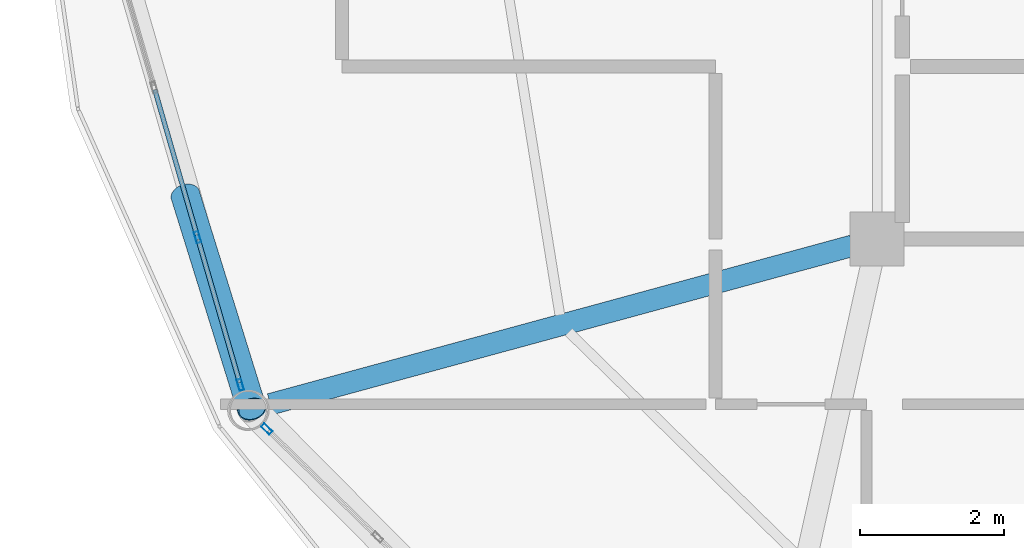
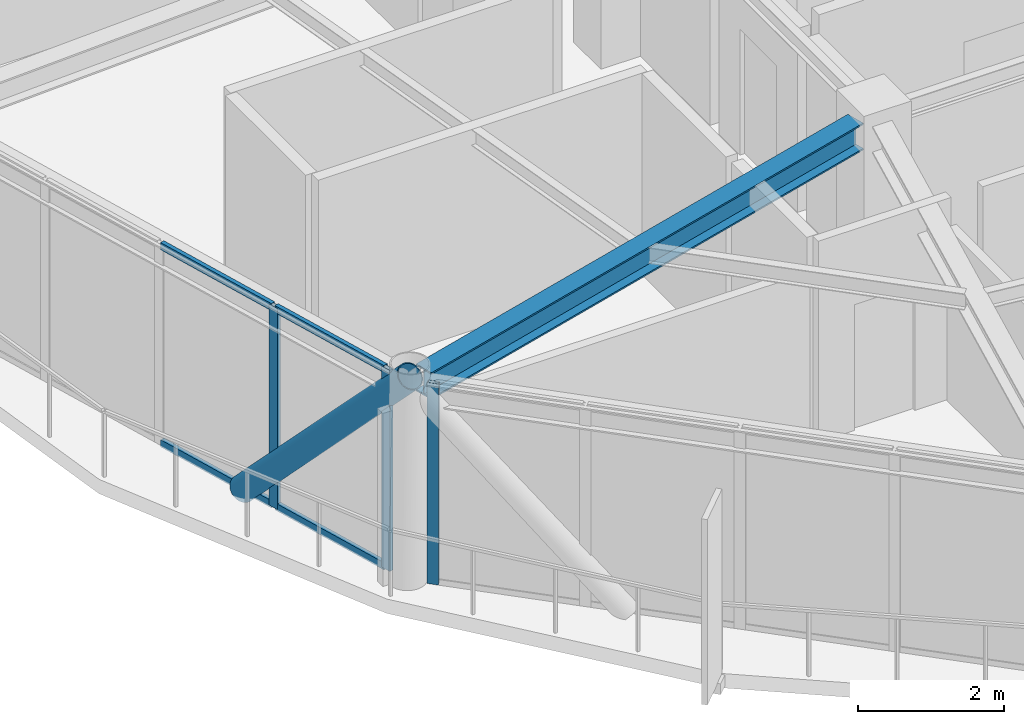
# One storey, part 4 of 27: 8 members, 1 beam, 2 elements without a shape of their own.
"""IFC4 building model written with IfcOpenShell, lengths in metres."""

from ifc_helpers import new_model, si_unit, direction, frame, origin, origin_2d, place, context, subcontext, project, spatial, hollow_rectangle, hollow_circle, i_section, extrude, material, layer, layer_set, material_profile, profile_set, type_object, element, aggregate, save


model = new_model("IFC4")

# Units and contexts
model_context = context("Model", 3, precision=1e-05, world=origin(), true_north=direction((0.0, 1.0)))
body_context = subcontext(model_context, "Body", "Model", "MODEL_VIEW")
ifc_project = project(units=[si_unit("LENGTHUNIT", "METRE"), si_unit("AREAUNIT", "SQUARE_METRE"), si_unit("VOLUMEUNIT", "CUBIC_METRE"), si_unit("PLANEANGLEUNIT", "RADIAN"), si_unit("MASSUNIT", "GRAM", prefix="KILO")], contexts=[model_context])

# Site, building, storey
site_placement = place(None, origin())
site = spatial("IfcSite", under=ifc_project, at=site_placement, CompositionType="ELEMENT")
building_placement = place(site_placement, origin())
building = spatial("IfcBuilding", under=site, at=building_placement, Name="Varnakorn Sky Granary", CompositionType="ELEMENT")
storey_placement = place(building_placement, frame((0.0, 0.0, 245.39990234375)))
storey = spatial("IfcBuildingStorey", under=building, at=storey_placement, Name="L62", CompositionType="ELEMENT", Elevation=245.39990234375)

# Beam
ifc_material_1 = material(Name="Steel S355JR", Category="steel")
ifc_material_profile_1 = material_profile(ifc_material_1, i_section(OverallWidth=0.300048828125, OverallDepth=0.449951171875, WebThickness=0.013916015625, FlangeThickness=0.02587890625, at=origin_2d()), Name="HE 450 B")
ifc_profile_set_1 = profile_set([ifc_material_profile_1], Name="Steel S355JR")
beam_type = type_object("IfcBeamType", Name="BM-RAD-Z5", PredefinedType="BEAM", material=ifc_profile_set_1)
beam_placement = place(storey_placement, frame((-2.6923828125, -6.693359375, 3.135009765625), z_axis=(-0.964876446702, -0.262704097035, 0.0), x_axis=(0.262704097035, -0.964876446702, 0.0)))
element("IfcBeam", 1, at=beam_placement, inside=storey, type_object=beam_type, Name="Radial Floor Girder RG08 L62", PredefinedType="BEAM", context=body_context, shape_type="SweptSolid", body=[
    extrude(i_section(OverallWidth=0.300048828125, OverallDepth=0.449951171875, WebThickness=0.013916015625, FlangeThickness=0.02587890625, at=origin_2d()), origin(), (0.0, 0.0, 1.0), 8.3974609375),
])

# Curtain wall, members
ifc_material_2 = material(Name="Anodised Bronze Aluminium Alloy 6063-T6", Category="aluminium")
ifc_layer = layer(ifc_material_2, 0.159912109375, Name="Anodised Bronze Aluminium Alloy 6063-T6")
ifc_layer_set = layer_set([ifc_layer], Name="Anodised Bronze Aluminium Alloy 6063-T6")
curtain_wall_type = type_object("IfcCurtainWallType", Name="CW-OFF-1", PredefinedType="USERDEFINED", material=ifc_layer_set)
curtain_wall_1_placement = place(storey_placement, origin())
curtain_wall_1 = element("IfcCurtainWall", 2, at=curtain_wall_1_placement, inside=storey, type_object=curtain_wall_type, Name="Unitised Curtain Wall CW6 CW-L62-B07", ObjectType="CURTAIN WALL", PredefinedType="USERDEFINED")
ifc_material_profile_2 = material_profile(ifc_material_2, hollow_rectangle(XDim=0.06494140625, YDim=0.159912109375, WallThickness=0.00341796875, at=origin_2d()), Name="ALU MULL 65x160")
ifc_profile_set_2 = profile_set([ifc_material_profile_2], Name="Anodised Bronze Aluminium Alloy 6063-T6")
member_type_1 = type_object("IfcMemberType", Name="CW-OFF-1-MULL", PredefinedType="MULLION", material=ifc_profile_set_2)
member_1_placement = place(storey_placement, frame((-11.212646484375, -8.628173828125, 0.0), z_axis=(0.0, 0.0, 1.0), x_axis=(-0.960483292406, -0.278337645691, 0.0)))
member_1 = element("IfcMember", 3, at=member_1_placement, type_object=member_type_1, Name="CW6 mullion 1", PredefinedType="MULLION", context=body_context, shape_type="SweptSolid", body=[
    extrude(hollow_rectangle(XDim=0.06494140625, YDim=0.159912109375, WallThickness=0.00341796875, at=origin_2d()), origin(), (0.0, 0.0, 1.0), 3.360107421875),
])
member_2_placement = place(storey_placement, frame((-11.807373046875, -6.576171875, 0.0), z_axis=(0.0, 0.0, 1.0), x_axis=(-0.960483292406, -0.278337645691, 0.0)))
member_2 = element("IfcMember", 4, at=member_2_placement, type_object=member_type_1, Name="CW6 mullion 2", PredefinedType="MULLION", context=body_context, shape_type="SweptSolid", body=[
    extrude(hollow_rectangle(XDim=0.06494140625, YDim=0.159912109375, WallThickness=0.00341796875, at=origin_2d()), origin(), (0.0, 0.0, 1.0), 3.360107421875),
])

# Curtain wall, member
curtain_wall_2_placement = place(storey_placement, origin())
curtain_wall_2 = element("IfcCurtainWall", 5, at=curtain_wall_2_placement, inside=storey, type_object=curtain_wall_type, Name="Unitised Curtain Wall CW6 CW-L62-B08", ObjectType="CURTAIN WALL", PredefinedType="USERDEFINED")
member_3_placement = place(storey_placement, frame((-10.8427734375, -9.2451171875, 0.0), z_axis=(0.0, 0.0, 1.0), x_axis=(-0.698180615076, -0.715921663823, 0.0)))
member_3 = element("IfcMember", 6, at=member_3_placement, type_object=member_type_1, Name="CW6 mullion 5", PredefinedType="MULLION", context=body_context, shape_type="SweptSolid", body=[
    extrude(hollow_rectangle(XDim=0.06494140625, YDim=0.159912109375, WallThickness=0.00341796875, at=origin_2d()), origin(), (0.0, 0.0, 1.0), 3.360107421875),
])
aggregate(curtain_wall_2, [member_3])

# Member
ifc_material_profile_3 = material_profile(ifc_material_2, hollow_rectangle(XDim=0.06494140625, YDim=0.1201171875, WallThickness=0.00341796875, at=origin_2d()), Name="ALU TRAN 65x120")
ifc_profile_set_3 = profile_set([ifc_material_profile_3], Name="Anodised Bronze Aluminium Alloy 6063-T6")
member_type_2 = type_object("IfcMemberType", Name="CW-OFF-1-TRAN", PredefinedType="USERDEFINED", material=ifc_profile_set_3)
member_4_placement = place(storey_placement, frame((-11.2216796875, -8.596923828125, 0.03271484375), z_axis=(-0.27836138489, 0.960476412725, 0.0), x_axis=(-0.960476412725, -0.27836138489, 0.0)))
member_4 = element("IfcMember", 7, at=member_4_placement, type_object=member_type_2, Name="CW6 transom 1.1", ObjectType="TRANSOM", PredefinedType="USERDEFINED", context=body_context, shape_type="SweptSolid", body=[
    extrude(hollow_rectangle(XDim=0.06494140625, YDim=0.1201171875, WallThickness=0.00341796875, at=origin_2d()), origin(), (0.0, 0.0, 1.0), 2.071533203125),
])

member_5_placement = place(storey_placement, frame((-11.2216796875, -8.596923828125, 3.32763671875), z_axis=(-0.27836138489, 0.960476412725, 0.0), x_axis=(-0.960476412725, -0.27836138489, 0.0)))
member_5 = element("IfcMember", 8, at=member_5_placement, type_object=member_type_2, Name="CW6 transom 1.2", ObjectType="TRANSOM", PredefinedType="USERDEFINED", context=body_context, shape_type="SweptSolid", body=[
    extrude(hollow_rectangle(XDim=0.06494140625, YDim=0.1201171875, WallThickness=0.00341796875, at=origin_2d()), origin(), (0.0, 0.0, 1.0), 2.071533203125),
])

member_6_placement = place(storey_placement, frame((-11.81640625, -6.544921875, 0.03271484375), z_axis=(-0.278351061992, 0.960479404406, 0.0), x_axis=(-0.960479404406, -0.278351061992, 0.0)))
member_6 = element("IfcMember", 9, at=member_6_placement, type_object=member_type_2, Name="CW6 transom 2.1", ObjectType="TRANSOM", PredefinedType="USERDEFINED", context=body_context, shape_type="SweptSolid", body=[
    extrude(hollow_rectangle(XDim=0.06494140625, YDim=0.1201171875, WallThickness=0.00341796875, at=origin_2d()), origin(), (0.0, 0.0, 1.0), 2.104248046875),
])

member_7_placement = place(storey_placement, frame((-11.81640625, -6.544921875, 3.32763671875), z_axis=(-0.278351061992, 0.960479404406, 0.0), x_axis=(-0.960479404406, -0.278351061992, 0.0)))
member_7 = element("IfcMember", 10, at=member_7_placement, type_object=member_type_2, Name="CW6 transom 2.2", ObjectType="TRANSOM", PredefinedType="USERDEFINED", context=body_context, shape_type="SweptSolid", body=[
    extrude(hollow_rectangle(XDim=0.06494140625, YDim=0.1201171875, WallThickness=0.00341796875, at=origin_2d()), origin(), (0.0, 0.0, 1.0), 2.104248046875),
])

aggregate(curtain_wall_1, [member_1, member_2, member_4, member_5, member_6, member_7])

ifc_material_3 = material(Name="Steel S460M", Category="steel")
ifc_material_profile_4 = material_profile(ifc_material_3, hollow_circle(Radius=0.203125, WallThickness=0.01611328125, at=origin_2d()), Name="CHS 406.4x16")
ifc_profile_set_4 = profile_set([ifc_material_profile_4], Name="Steel S460M")
member_type_3 = type_object("IfcMemberType", Name="MB-DIAG-T4", PredefinedType="BRACE", material=ifc_profile_set_4)
member_8_placement = place(storey_placement, frame((-11.97705078125, -5.990234375, 0.0), z_axis=(0.20212826746, -0.649675182108, 0.732848088792), x_axis=(0.954853816416, 0.29707606648, 0.0)))
element("IfcMember", 11, at=member_8_placement, inside=storey, type_object=member_type_3, Name="Perimeter CHS Diagrid Brace DG07 L62", PredefinedType="BRACE", context=body_context, shape_type="SweptSolid", body=[
    extrude(hollow_circle(Radius=0.203125, WallThickness=0.01611328125, at=origin_2d()), origin(), (0.0, 0.0, 1.0), 4.5849609375),
])

save(model, "model.ifc")
